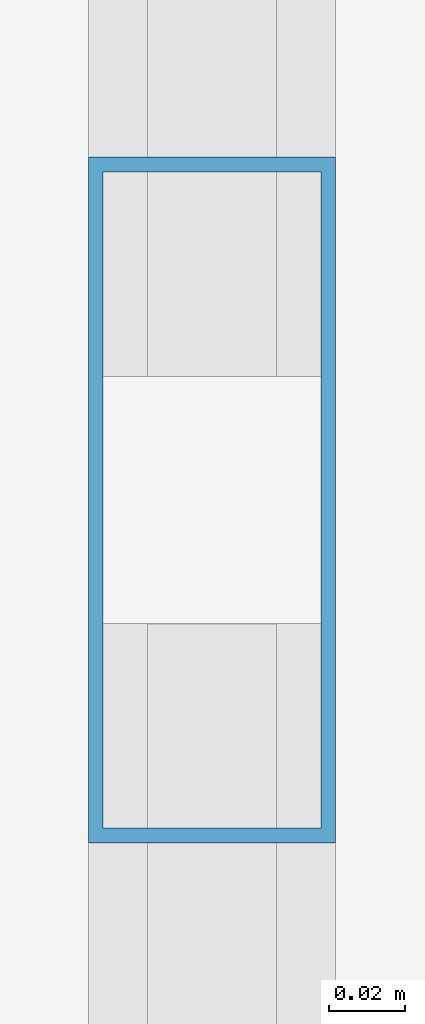
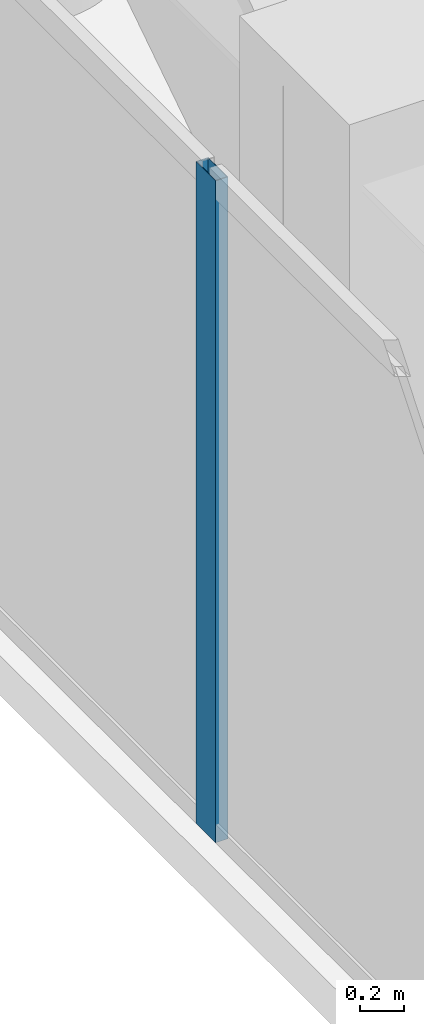
# One storey, part 6 of 21: 1 member, 1 element without a shape of its own.
"""IFC4 building model written with IfcOpenShell, lengths in metres."""

from ifc_helpers import new_model, si_unit, direction, frame, origin, origin_2d, place, context, subcontext, project, spatial, hollow_rectangle, extrude, material, layer, layer_set, material_profile, profile_set, type_object, element, aggregate, save


model = new_model("IFC4")

# Units and contexts
model_context = context("Model", 3, precision=1e-05, world=origin(), true_north=direction((0.0, 1.0)))
body_context = subcontext(model_context, "Body", "Model", "MODEL_VIEW")
ifc_project = project(units=[si_unit("LENGTHUNIT", "METRE"), si_unit("AREAUNIT", "SQUARE_METRE"), si_unit("VOLUMEUNIT", "CUBIC_METRE"), si_unit("PLANEANGLEUNIT", "RADIAN"), si_unit("MASSUNIT", "GRAM", prefix="KILO")], contexts=[model_context])

# Site, building, storey
site_placement = place(None, origin())
site = spatial("IfcSite", under=ifc_project, at=site_placement, CompositionType="ELEMENT")
building_placement = place(site_placement, origin())
building = spatial("IfcBuilding", under=site, at=building_placement, Name="Kiyonajd Concourse Tower", CompositionType="ELEMENT")
storey_placement = place(building_placement, frame((0.0, 0.0, 234.89990234375)))
storey = spatial("IfcBuildingStorey", under=building, at=storey_placement, Name="L59", CompositionType="ELEMENT", Elevation=234.89990234375)

# Curtain wall, member
ifc_material = material(Name="Thermally Broken Anodised Aluminium", Category="aluminium")
ifc_layer = layer(ifc_material, 0.179931640625)
ifc_layer_set = layer_set([ifc_layer], Name="Thermally Broken Anodised Aluminium")
curtain_wall_type = type_object("IfcCurtainWallType", Name="CW-SYS-04", PredefinedType="NOTDEFINED", material=ifc_layer_set)
curtain_wall_placement = place(storey_placement, origin())
curtain_wall = element("IfcCurtainWall", 1, at=curtain_wall_placement, inside=storey, type_object=curtain_wall_type, Name="L59 Unitised Curtain Wall CW4", PredefinedType="NOTDEFINED")
ifc_material_profile = material_profile(ifc_material, hollow_rectangle(XDim=0.06494140625, YDim=0.179931640625, WallThickness=0.00390625, at=origin_2d()), Name="MULL-65x180")
ifc_profile_set = profile_set([ifc_material_profile], Name="Thermally Broken Anodised Aluminium")
member_type = type_object("IfcMemberType", Name="MB-CW-MULL1", PredefinedType="MULLION", material=ifc_profile_set)
member_placement = place(storey_placement, frame((25.340087890625, 53.181396484375, 0.0), z_axis=(0.0, 0.0, 1.0), x_axis=(-1.0, 0.0, 0.0)))
member = element("IfcMember", 2, at=member_placement, type_object=member_type, Name="CW4 mullion 6", PredefinedType="MULLION", context=body_context, shape_type="SweptSolid", body=[
    extrude(hollow_rectangle(XDim=0.06494140625, YDim=0.179931640625, WallThickness=0.00390625, at=origin_2d()), origin(), (0.0, 0.0, 1.0), 3.68017578125),
])
aggregate(curtain_wall, [member])

save(model, "model.ifc")
